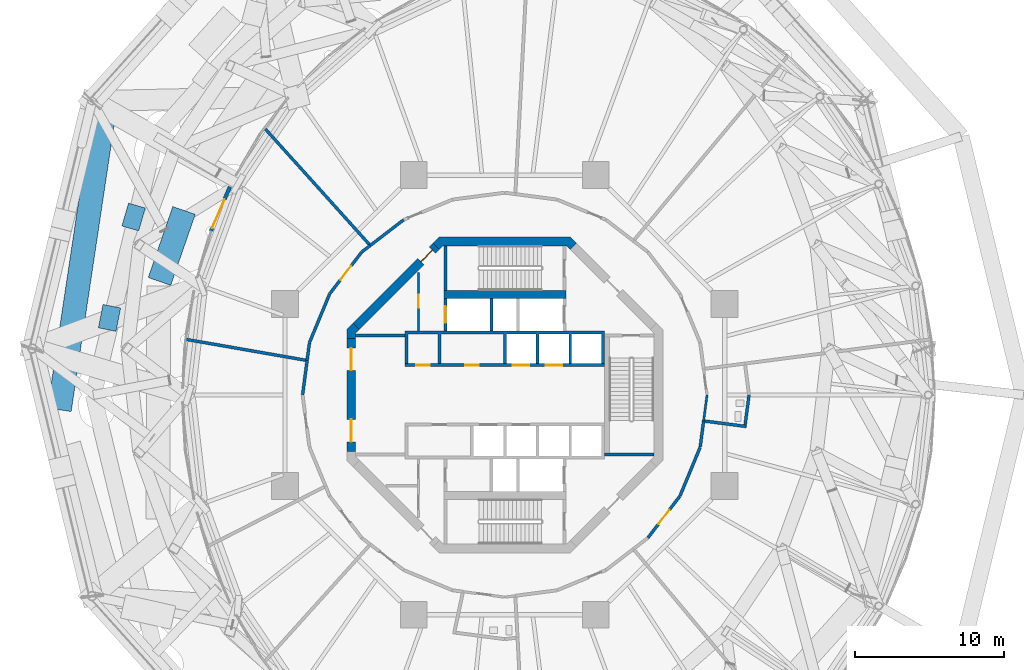
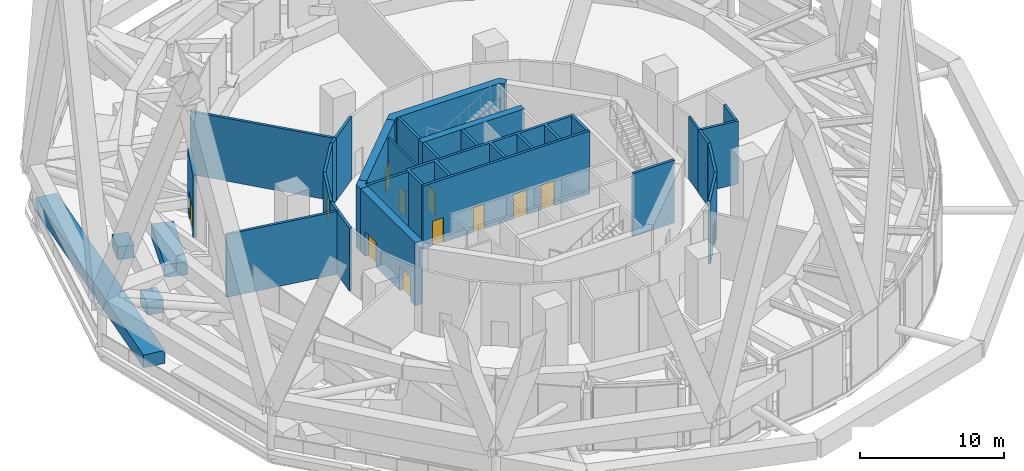
# One storey, part 50 of 60: 32 walls, 12 doors, 12 openings.
"""IFC4 building model written with IfcOpenShell, lengths in metres."""

from ifc_helpers import new_model, si_unit, direction, frame, frame_2d, origin, place, context, subcontext, project, spatial, polyline, rectangle, outline, extrude, material, layer, layer_set, type_object, element, fill, save


model = new_model("IFC4")

# Units and contexts
model_context = context("Model", 3, precision=1e-05, world=origin(), true_north=direction((0.0, 1.0)))
body_context = subcontext(model_context, "Body", "Model", "MODEL_VIEW")
ifc_project = project(units=[si_unit("LENGTHUNIT", "METRE"), si_unit("AREAUNIT", "SQUARE_METRE"), si_unit("VOLUMEUNIT", "CUBIC_METRE"), si_unit("PLANEANGLEUNIT", "RADIAN"), si_unit("MASSUNIT", "GRAM", prefix="KILO")], contexts=[model_context])

# Site, building, storey
site_placement = place(None, origin())
site = spatial("IfcSite", under=ifc_project, at=site_placement, CompositionType="ELEMENT")
building_placement = place(site_placement, origin())
building = spatial("IfcBuilding", under=site, at=building_placement, Name="Nagisa Residences", CompositionType="ELEMENT")
storey_placement = place(building_placement, frame((0.0, 0.0, 206.60009765625)))
storey = spatial("IfcBuildingStorey", under=building, at=storey_placement, Name="L52", CompositionType="ELEMENT", Elevation=206.60009765625)

# Wall, opening, door
ifc_material_1 = material(Name="Precast concrete C40/50", Category="concrete")
ifc_layer_1 = layer(ifc_material_1, 0.25)
ifc_layer_set_1 = layer_set([ifc_layer_1], Name="BALCONY DOOR WALL 250")
wall_type_1 = type_object("IfcWallType", Name="BALCONY DOOR WALL 250", PredefinedType="SOLIDWALL", material=ifc_layer_set_1)
wall_1_placement = place(storey_placement, frame((-19.774658203125, 11.020263671875, 0.0), z_axis=(0.0, 0.0, 1.0), x_axis=(0.397624344801, 0.917548298686, 0.0)))
wall_1 = element("IfcWall", 1, at=wall_1_placement, inside=storey, type_object=wall_type_1, Name="wall:L52:bay20", PredefinedType="SOLIDWALL", context=body_context, shape_type="SweptSolid", body=[
    extrude(rectangle(XDim=3.241943359375, YDim=0.25, at=frame_2d((1.62109375, 0.0))), origin(), (0.0, 0.0, 1.0), 5.33984375),
])
opening_1_placement = place(wall_1_placement, frame((0.220947265625, 0.0, 0.0)))
opening_1 = element("IfcOpeningElement", 2, at=opening_1_placement, cuts=wall_1, Name="Opening BD-L52-01", PredefinedType="OPENING", context=body_context, shape_type="SweptSolid", body=[
    extrude(rectangle(XDim=2.10009765625, YDim=2.39990234375, at=frame_2d((1.050048828125, 1.199951171875))), frame((0.0, 0.135009765625, 0.0), z_axis=(0.0, -1.0, 0.0), x_axis=(1.0, 0.0, 0.0)), (0.0, 0.0, 1.0), 0.27001953125),
])
ifc_material_2 = material(Name="Aluminium and clear glass", Category="aluminium")
door_type_1 = type_object("IfcDoorType", Name="BALCONY SLIDING DOOR 2100x2400", OperationType="SLIDING_TO_LEFT", PredefinedType="DOOR", material=ifc_material_2)
door_1_placement = place(opening_1_placement, origin())
door_1 = element("IfcDoor", 3, at=door_1_placement, inside=storey, type_object=door_type_1, Name="door:L52:bay20", OperationType="SLIDING_TO_LEFT", OverallHeight=2.39990234375, OverallWidth=2.10009765625, PredefinedType="DOOR", context=body_context, shape_type="SweptSolid", body=[
    extrude(rectangle(XDim=2.10009765625, YDim=2.39990234375, at=frame_2d((1.050048828125, 1.199951171875))), frame((0.0, 0.02490234375, 0.0), z_axis=(0.0, -1.0, 0.0), x_axis=(1.0, 0.0, 0.0)), (0.0, 0.0, 1.0), 0.050048828125),
])
fill(opening_1, door_1)

ifc_material_3 = material(Name="Gypsum board on steel studs", Category="steel")
ifc_layer_2 = layer(ifc_material_3, 0.14990234375)
ifc_layer_set_2 = layer_set([ifc_layer_2], Name="Core partition 150")
wall_type_2 = type_object("IfcWallType", Name="Core partition 150", PredefinedType="PARTITIONING", material=ifc_layer_set_2)
wall_2_placement = place(storey_placement, frame((-5.800048828125, 4.300048828125, 0.0), z_axis=(0.0, 0.0, 1.0), x_axis=(0.0, 1.0, 0.0)))
wall_2 = element("IfcWall", 4, at=wall_2_placement, inside=storey, type_object=wall_type_2, Name="wall:L52:NWp", PredefinedType="PARTITIONING", context=body_context, shape_type="SweptSolid", body=[
    extrude(rectangle(XDim=3.927001953125, YDim=0.14990234375, at=frame_2d((1.96337890625, 0.0))), origin(), (0.0, 0.0, 1.0), 5.33984375),
])
opening_2_placement = place(wall_2_placement, frame((1.551025390625, 0.0, 0.0)))
opening_2 = element("IfcOpeningElement", 5, at=opening_2_placement, cuts=wall_2, Name="Opening L52-C11", PredefinedType="OPENING", context=body_context, shape_type="SweptSolid", body=[
    extrude(rectangle(XDim=0.89990234375, YDim=2.10009765625, at=frame_2d((0.449951171875, 1.050048828125))), frame((0.0, 0.0849609375, 0.0), z_axis=(0.0, -1.0, 0.0), x_axis=(1.0, 0.0, 0.0)), (0.0, 0.0, 1.0), 0.169921875),
])
ifc_material_4 = material(Name="Steel fire door", Category="steel")
door_type_2 = type_object("IfcDoorType", Name="Fire door EI30 900x2100 single swing", OperationType="NOTDEFINED", PredefinedType="DOOR", material=ifc_material_4)
door_2_placement = place(opening_2_placement, origin())
door_2 = element("IfcDoor", 6, at=door_2_placement, inside=storey, type_object=door_type_2, Name="Hose reel room door L52", OperationType="SINGLE_SWING_RIGHT", OverallHeight=2.10009765625, OverallWidth=0.89990234375, PredefinedType="DOOR", context=body_context, shape_type="SweptSolid", body=[
    extrude(rectangle(XDim=0.89990234375, YDim=2.10009765625, at=frame_2d((0.449951171875, 1.050048828125))), frame((0.0, 0.02490234375, 0.0), z_axis=(0.0, -1.0, 0.0), x_axis=(1.0, 0.0, 0.0)), (0.0, 0.0, 1.0), 0.050048828125),
])
fill(opening_2, door_2)

# Wall
ifc_material_5 = material(Name="Gypsum board on steel studs", Category="steel")
ifc_layer_3 = layer(ifc_material_5, 0.199951171875)
ifc_layer_set_3 = layer_set([ifc_layer_3], Name="Core partition 200")
wall_type_3 = type_object("IfcWallType", Name="Core partition 200", PredefinedType="PARTITIONING", material=ifc_layer_set_3)
wall_3_placement = place(storey_placement, frame((-10.024658203125, 4.0, 0.0), z_axis=(0.0, 0.0, 1.0), x_axis=(1.0, 0.0, 0.0)))
element("IfcWall", 7, at=wall_3_placement, inside=storey, type_object=wall_type_3, Name="wall:L52:PNW", PredefinedType="PARTITIONING", context=body_context, shape_type="SweptSolid", body=[
    extrude(rectangle(XDim=3.32470703125, YDim=0.199951171875, at=frame_2d((1.662353515625, 0.0))), origin(), (0.0, 0.0, 1.0), 5.33984375),
])

# Wall, opening, door
ifc_material_6 = material(Name="Concrete C60", Category="concrete")
ifc_layer_4 = layer(ifc_material_6, 0.60009765625)
ifc_layer_set_4 = layer_set([ifc_layer_4], Name="Core shear wall 600")
wall_type_4 = type_object("IfcWallType", Name="Core shear wall 600", PredefinedType="SHEAR", material=ifc_layer_set_4)
wall_4_placement = place(storey_placement, frame((-4.613037109375, 9.98828125, 0.0), z_axis=(0.0, 0.0, 1.0), x_axis=(-0.707106781187, -0.707106781187, 0.0)))
wall_4 = element("IfcWall", 8, at=wall_4_placement, inside=storey, type_object=wall_type_4, Name="wall:L52:core:flat3", PredefinedType="SHEAR", context=body_context, shape_type="SweptSolid", body=[
    extrude(rectangle(XDim=7.601806640625, YDim=0.60009765625, at=frame_2d((3.80078125, 0.0))), origin(), (0.0, 0.0, 1.0), 5.33984375),
])
opening_3_placement = place(wall_4_placement, frame((0.350830078125, 0.0, 0.0)))
opening_3 = element("IfcOpeningElement", 9, at=opening_3_placement, cuts=wall_4, Name="Opening L52-C22", PredefinedType="OPENING", context=body_context, shape_type="SweptSolid", body=[
    extrude(rectangle(XDim=1.10009765625, YDim=2.10009765625, at=frame_2d((0.550048828125, 1.050048828125))), frame((0.0, 0.31005859375, 0.0), z_axis=(0.0, -1.0, 0.0), x_axis=(1.0, 0.0, 0.0)), (0.0, 0.0, 1.0), 0.6201171875),
])
ifc_material_7 = material(Name="Steel fire door", Category="steel")
door_type_3 = type_object("IfcDoorType", Name="Fire door EI60 1100x2100 single swing", OperationType="NOTDEFINED", PredefinedType="DOOR", material=ifc_material_7)
door_3_placement = place(opening_3_placement, origin())
door_3 = element("IfcDoor", 10, at=door_3_placement, inside=storey, type_object=door_type_3, Name="Service lobby door L52", OperationType="SINGLE_SWING_LEFT", OverallHeight=2.10009765625, OverallWidth=1.10009765625, PredefinedType="DOOR", context=body_context, shape_type="SweptSolid", body=[
    extrude(rectangle(XDim=1.10009765625, YDim=2.10009765625, at=frame_2d((0.550048828125, 1.050048828125))), frame((0.0, 0.02490234375, 0.0), z_axis=(0.0, -1.0, 0.0), x_axis=(1.0, 0.0, 0.0)), (0.0, 0.0, 1.0), 0.050048828125),
])
fill(opening_3, door_3)

# Wall, openings, doors
wall_5_placement = place(storey_placement, frame((-10.32470703125, 3.80078125, 0.0), z_axis=(0.0, 0.0, 1.0), x_axis=(0.0, -1.0, 0.0)))
wall_5 = element("IfcWall", 11, at=wall_5_placement, inside=storey, type_object=wall_type_4, Name="wall:L52:core:flat4", PredefinedType="SHEAR", context=body_context, shape_type="SweptSolid", body=[
    extrude(rectangle(XDim=7.6015625, YDim=0.60009765625, at=frame_2d((3.80078125, 0.0))), origin(), (0.0, 0.0, 1.0), 5.33984375),
])
opening_4_placement = place(wall_5_placement, frame((0.65087890625, 0.0, 0.0)))
opening_4 = element("IfcOpeningElement", 12, at=opening_4_placement, cuts=wall_5, Name="Opening L52-C20", PredefinedType="OPENING", context=body_context, shape_type="SweptSolid", body=[
    extrude(rectangle(XDim=1.5, YDim=2.10009765625, at=frame_2d((0.75, 1.050048828125))), frame((0.0, 0.31005859375, 0.0), z_axis=(0.0, -1.0, 0.0), x_axis=(1.0, 0.0, 0.0)), (0.0, 0.0, 1.0), 0.6201171875),
])
opening_5_placement = place(wall_5_placement, frame((5.450927734375, 0.0, 0.0)))
opening_5 = element("IfcOpeningElement", 13, at=opening_5_placement, cuts=wall_5, Name="Opening L52-C21", PredefinedType="OPENING", context=body_context, shape_type="SweptSolid", body=[
    extrude(rectangle(XDim=1.5, YDim=2.10009765625, at=frame_2d((0.75, 1.050048828125))), frame((0.0, 0.31005859375, 0.0), z_axis=(0.0, -1.0, 0.0), x_axis=(1.0, 0.0, 0.0)), (0.0, 0.0, 1.0), 0.6201171875),
])
ifc_material_8 = material(Name="Steel fire door", Category="steel")
door_type_4 = type_object("IfcDoorType", Name="Fire door EI60 1500x2100 double door single swing", OperationType="DOUBLE_DOOR_SINGLE_SWING", PredefinedType="DOOR", material=ifc_material_8)
door_4_placement = place(opening_4_placement, origin())
door_4 = element("IfcDoor", 14, at=door_4_placement, inside=storey, type_object=door_type_4, Name="Lift lobby door L52 1", OperationType="DOUBLE_DOOR_SINGLE_SWING", OverallHeight=2.10009765625, OverallWidth=1.5, PredefinedType="DOOR", context=body_context, shape_type="SweptSolid", body=[
    extrude(rectangle(XDim=1.5, YDim=2.10009765625, at=frame_2d((0.75, 1.050048828125))), frame((0.0, 0.02490234375, 0.0), z_axis=(0.0, -1.0, 0.0), x_axis=(1.0, 0.0, 0.0)), (0.0, 0.0, 1.0), 0.050048828125),
])
fill(opening_4, door_4)
door_5_placement = place(opening_5_placement, origin())
door_5 = element("IfcDoor", 15, at=door_5_placement, inside=storey, type_object=door_type_4, Name="Lift lobby door L52 2", OperationType="DOUBLE_DOOR_SINGLE_SWING", OverallHeight=2.10009765625, OverallWidth=1.5, PredefinedType="DOOR", context=body_context, shape_type="SweptSolid", body=[
    extrude(rectangle(XDim=1.5, YDim=2.10009765625, at=frame_2d((0.75, 1.050048828125))), frame((0.0, 0.02490234375, 0.0), z_axis=(0.0, -1.0, 0.0), x_axis=(1.0, 0.0, 0.0)), (0.0, 0.0, 1.0), 0.050048828125),
])
fill(opening_5, door_5)

# Walls
wall_6_placement = place(storey_placement, origin())
element("IfcWall", 16, at=wall_6_placement, inside=storey, type_object=wall_type_4, Name="wall:L52:core:pier3", PredefinedType="SHEAR", context=body_context, shape_type="SweptSolid", body=[
    extrude(outline(polyline([(-10.200439453125, 4.8251953125), (-9.776123046875, 4.40087890625), (-10.024658203125, 4.15234375), (-10.024658203125, 3.80078125), (-10.62451171875, 3.80078125), (-10.62451171875, 4.40087890625), (-10.200439453125, 4.8251953125)])), origin(), (0.0, 0.0, 1.0), 5.33984375),
])
wall_7_placement = place(storey_placement, origin())
element("IfcWall", 17, at=wall_7_placement, inside=storey, type_object=wall_type_4, Name="wall:L52:core:flat2", PredefinedType="SHEAR", context=body_context, shape_type="SweptSolid", body=[
    extrude(outline(polyline([(-4.15234375, 10.024658203125), (-4.40087890625, 9.776123046875), (-4.8251953125, 10.200439453125), (-4.40087890625, 10.62451171875), (4.40087890625, 10.62451171875), (4.8251953125, 10.200439453125), (4.40087890625, 9.776123046875), (4.15234375, 10.024658203125), (-4.15234375, 10.024658203125)])), origin(), (0.0, 0.0, 1.0), 5.33984375),
])

# Wall, opening, door
ifc_material_9 = material(Name="Concrete C60", Category="concrete")
ifc_layer_5 = layer(ifc_material_9, 0.199951171875)
ifc_layer_set_5 = layer_set([ifc_layer_5], Name="Lift shaft wall 200")
wall_type_5 = type_object("IfcWallType", Name="Lift shaft wall 200", PredefinedType="SOLIDWALL", material=ifc_layer_set_5)
wall_8_placement = place(storey_placement, frame((-4.0, 4.300048828125, 0.0), z_axis=(0.0, 0.0, 1.0), x_axis=(0.0, 1.0, 0.0)))
wall_8 = element("IfcWall", 18, at=wall_8_placement, inside=storey, type_object=wall_type_5, Name="wall:L52:Nb4", PredefinedType="SOLIDWALL", context=body_context, shape_type="SweptSolid", body=[
    extrude(rectangle(XDim=2.199951171875, YDim=0.199951171875, at=frame_2d((1.10009765625, 0.0))), origin(), (0.0, 0.0, 1.0), 5.33984375),
])
opening_6_placement = place(wall_8_placement, frame((0.550048828125, 0.0, 0.0)))
opening_6 = element("IfcOpeningElement", 19, at=opening_6_placement, cuts=wall_8, Name="Opening L52-C07", PredefinedType="OPENING", context=body_context, shape_type="SweptSolid", body=[
    extrude(rectangle(XDim=1.10009765625, YDim=2.10009765625, at=frame_2d((0.550048828125, 1.050048828125))), frame((0.0, 0.10986328125, 0.0), z_axis=(0.0, -1.0, 0.0), x_axis=(1.0, 0.0, 0.0)), (0.0, 0.0, 1.0), 0.219970703125),
])
ifc_material_10 = material(Name="Stainless steel", Category="steel")
door_type_5 = type_object("IfcDoorType", Name="Lift landing door 1100x2100", OperationType="DOUBLE_DOOR_SLIDING", PredefinedType="DOOR", material=ifc_material_10)
door_6_placement = place(opening_6_placement, origin())
door_6 = element("IfcDoor", 20, at=door_6_placement, inside=storey, type_object=door_type_5, Name="Landing door SV L52", OperationType="DOUBLE_DOOR_SLIDING", OverallHeight=2.10009765625, OverallWidth=1.10009765625, PredefinedType="DOOR", context=body_context, shape_type="SweptSolid", body=[
    extrude(rectangle(XDim=1.10009765625, YDim=2.10009765625, at=frame_2d((0.550048828125, 1.050048828125))), frame((0.0, 0.02490234375, 0.0), z_axis=(0.0, -1.0, 0.0), x_axis=(1.0, 0.0, 0.0)), (0.0, 0.0, 1.0), 0.050048828125),
])
fill(opening_6, door_6)

# Wall, openings, doors
wall_9_placement = place(storey_placement, frame((-6.699951171875, 2.0, 0.0), z_axis=(0.0, 0.0, 1.0), x_axis=(1.0, 0.0, 0.0)))
wall_9 = element("IfcWall", 21, at=wall_9_placement, inside=storey, type_object=wall_type_5, Name="wall:L52:Nfront", PredefinedType="SOLIDWALL", context=body_context, shape_type="SweptSolid", body=[
    extrude(rectangle(XDim=13.39990234375, YDim=0.199951171875, at=frame_2d((6.699951171875, 0.0))), origin(), (0.0, 0.0, 1.0), 5.33984375),
])
opening_7_placement = place(wall_9_placement, frame((7.25, 0.0, 0.0)))
opening_7 = element("IfcOpeningElement", 22, at=opening_7_placement, cuts=wall_9, Name="Opening L52-C01", PredefinedType="OPENING", context=body_context, shape_type="SweptSolid", body=[
    extrude(rectangle(XDim=1.10009765625, YDim=2.10009765625, at=frame_2d((0.550048828125, 1.050048828125))), frame((0.0, 0.10986328125, 0.0), z_axis=(0.0, -1.0, 0.0), x_axis=(1.0, 0.0, 0.0)), (0.0, 0.0, 1.0), 0.219970703125),
])
opening_8_placement = place(wall_9_placement, frame((9.449951171875, 0.0, 0.0)))
opening_8 = element("IfcOpeningElement", 23, at=opening_8_placement, cuts=wall_9, Name="Opening L52-C02", PredefinedType="OPENING", context=body_context, shape_type="SweptSolid", body=[
    extrude(rectangle(XDim=1.10009765625, YDim=2.10009765625, at=frame_2d((0.550048828125, 1.050048828125))), frame((0.0, 0.10986328125, 0.0), z_axis=(0.0, -1.0, 0.0), x_axis=(1.0, 0.0, 0.0)), (0.0, 0.0, 1.0), 0.219970703125),
])
opening_9_placement = place(wall_9_placement, frame((0.75, 0.0, 0.0)))
opening_9 = element("IfcOpeningElement", 24, at=opening_9_placement, cuts=wall_9, Name="Opening L52-C15", PredefinedType="OPENING", context=body_context, shape_type="SweptSolid", body=[
    extrude(rectangle(XDim=0.89990234375, YDim=2.10009765625, at=frame_2d((0.449951171875, 1.050048828125))), frame((0.0, 0.10986328125, 0.0), z_axis=(0.0, -1.0, 0.0), x_axis=(1.0, 0.0, 0.0)), (0.0, 0.0, 1.0), 0.219970703125),
])
opening_10_placement = place(wall_9_placement, frame((4.050048828125, 0.0, 0.0)))
opening_10 = element("IfcOpeningElement", 25, at=opening_10_placement, cuts=wall_9, Name="Opening L52-C16", PredefinedType="OPENING", context=body_context, shape_type="SweptSolid", body=[
    extrude(rectangle(XDim=0.89990234375, YDim=2.10009765625, at=frame_2d((0.449951171875, 1.050048828125))), frame((0.0, 0.10986328125, 0.0), z_axis=(0.0, -1.0, 0.0), x_axis=(1.0, 0.0, 0.0)), (0.0, 0.0, 1.0), 0.219970703125),
])
door_7_placement = place(opening_9_placement, origin())
door_7 = element("IfcDoor", 26, at=door_7_placement, inside=storey, type_object=door_type_2, Name="Wine store door L52", OperationType="SINGLE_SWING_LEFT", OverallHeight=2.10009765625, OverallWidth=0.89990234375, PredefinedType="DOOR", context=body_context, shape_type="SweptSolid", body=[
    extrude(rectangle(XDim=0.89990234375, YDim=2.10009765625, at=frame_2d((0.449951171875, 1.050048828125))), frame((0.0, 0.02490234375, 0.0), z_axis=(0.0, -1.0, 0.0), x_axis=(1.0, 0.0, 0.0)), (0.0, 0.0, 1.0), 0.050048828125),
])
fill(opening_9, door_7)
door_8_placement = place(opening_10_placement, origin())
door_8 = element("IfcDoor", 27, at=door_8_placement, inside=storey, type_object=door_type_2, Name="Package room door L52", OperationType="SINGLE_SWING_LEFT", OverallHeight=2.10009765625, OverallWidth=0.89990234375, PredefinedType="DOOR", context=body_context, shape_type="SweptSolid", body=[
    extrude(rectangle(XDim=0.89990234375, YDim=2.10009765625, at=frame_2d((0.449951171875, 1.050048828125))), frame((0.0, 0.02490234375, 0.0), z_axis=(0.0, -1.0, 0.0), x_axis=(1.0, 0.0, 0.0)), (0.0, 0.0, 1.0), 0.050048828125),
])
fill(opening_10, door_8)
door_9_placement = place(opening_7_placement, origin())
door_9 = element("IfcDoor", 28, at=door_9_placement, inside=storey, type_object=door_type_5, Name="Landing door B1 L52", OperationType="DOUBLE_DOOR_SLIDING", OverallHeight=2.10009765625, OverallWidth=1.10009765625, PredefinedType="DOOR", context=body_context, shape_type="SweptSolid", body=[
    extrude(rectangle(XDim=1.10009765625, YDim=2.10009765625, at=frame_2d((0.550048828125, 1.050048828125))), frame((0.0, 0.02490234375, 0.0), z_axis=(0.0, -1.0, 0.0), x_axis=(1.0, 0.0, 0.0)), (0.0, 0.0, 1.0), 0.050048828125),
])
fill(opening_7, door_9)
door_10_placement = place(opening_8_placement, origin())
door_10 = element("IfcDoor", 29, at=door_10_placement, inside=storey, type_object=door_type_5, Name="Landing door B2 L52", OperationType="DOUBLE_DOOR_SLIDING", OverallHeight=2.10009765625, OverallWidth=1.10009765625, PredefinedType="DOOR", context=body_context, shape_type="SweptSolid", body=[
    extrude(rectangle(XDim=1.10009765625, YDim=2.10009765625, at=frame_2d((0.550048828125, 1.050048828125))), frame((0.0, 0.02490234375, 0.0), z_axis=(0.0, -1.0, 0.0), x_axis=(1.0, 0.0, 0.0)), (0.0, 0.0, 1.0), 0.050048828125),
])
fill(opening_8, door_10)

# Walls
wall_10_placement = place(storey_placement, frame((-0.89990234375, 4.300048828125, 0.0), z_axis=(0.0, 0.0, 1.0), x_axis=(0.0, 1.0, 0.0)))
element("IfcWall", 30, at=wall_10_placement, inside=storey, type_object=wall_type_5, Name="wall:L52:Nb1", PredefinedType="SOLIDWALL", context=body_context, shape_type="SweptSolid", body=[
    extrude(rectangle(XDim=2.199951171875, YDim=0.199951171875, at=frame_2d((1.10009765625, 0.0))), origin(), (0.0, 0.0, 1.0), 5.33984375),
])
wall_11_placement = place(storey_placement, origin())
element("IfcWall", 31, at=wall_11_placement, inside=storey, type_object=wall_type_5, Name="wall:L52:Nback", PredefinedType="SOLIDWALL", context=body_context, shape_type="SweptSolid", body=[
    extrude(outline(polyline([(-6.699951171875, 4.300048828125), (6.699951171875, 4.300048828125), (6.699951171875, 2.10009765625), (6.5, 2.10009765625), (6.5, 4.10009765625), (4.5, 4.10009765625), (4.5, 2.10009765625), (4.300048828125, 2.10009765625), (4.300048828125, 4.10009765625), (2.300048828125, 4.10009765625), (2.300048828125, 2.10009765625), (2.10009765625, 2.10009765625), (2.10009765625, 4.10009765625), (0.10009765625, 4.10009765625), (0.10009765625, 2.10009765625), (-0.10009765625, 2.10009765625), (-0.10009765625, 4.10009765625), (-4.300048828125, 4.10009765625), (-4.300048828125, 2.10009765625), (-4.5, 2.10009765625), (-4.5, 4.10009765625), (-6.5, 4.10009765625), (-6.5, 2.10009765625), (-6.699951171875, 2.10009765625), (-6.699951171875, 4.300048828125)])), origin(), (0.0, 0.0, 1.0), 5.33984375),
])
ifc_material_11 = material(Name="Precast concrete C30/37", Category="concrete")
ifc_layer_6 = layer(ifc_material_11, 1.60009765625)
ifc_layer_set_6 = layer_set([ifc_layer_6], Name="PLANTER")
wall_type_6 = type_object("IfcWallType", Name="PLANTER", PredefinedType="SOLIDWALL", material=ifc_layer_set_6)
wall_12_placement = place(storey_placement, frame((-29.954345703125, -0.997802734375, 0.0), z_axis=(0.0, 0.0, 1.0), x_axis=(0.148243231474, 0.9889509312, 0.0)))
element("IfcWall", 32, at=wall_12_placement, inside=storey, type_object=wall_type_6, Name="planter:L52:deck001", PredefinedType="SOLIDWALL", context=body_context, shape_type="SweptSolid", body=[
    extrude(rectangle(XDim=20.507080078125, YDim=1.60009765625, at=frame_2d((10.25341796875, 0.0))), origin(), (0.0, 0.0, 1.0), 1.099853515625),
])
wall_13_placement = place(storey_placement, frame((-21.5732421875, 12.40625, 0.0), z_axis=(0.0, 0.0, 1.0), x_axis=(-0.326881429712, -0.94506535801, 0.0)))
element("IfcWall", 33, at=wall_13_placement, inside=storey, type_object=wall_type_6, Name="planter:L52:deck005", PredefinedType="SOLIDWALL", context=body_context, shape_type="SweptSolid", body=[
    extrude(rectangle(XDim=5.05029296875, YDim=1.60009765625, at=frame_2d((2.525146484375, 0.0))), origin(), (0.0, 0.0, 1.0), 1.099853515625),
])
wall_14_placement = place(storey_placement, frame((-25.992919921875, 5.062744140625, 0.0), z_axis=(0.0, 0.0, 1.0), x_axis=(-0.980882620222, 0.194600322059, 0.0)))
element("IfcWall", 34, at=wall_14_placement, inside=storey, type_object=wall_type_6, Name="planter:L52:deck117", PredefinedType="SOLIDWALL", context=body_context, shape_type="SweptSolid", body=[
    extrude(rectangle(XDim=1.208251953125, YDim=1.60009765625, at=frame_2d((0.60400390625, 0.0))), origin(), (0.0, 0.0, 1.0), 1.099853515625),
])
wall_15_placement = place(storey_placement, frame((-25.52685546875, 12.12890625, 0.0), z_axis=(0.0, 0.0, 1.0), x_axis=(0.960640226242, -0.277795528628, 0.0)))
element("IfcWall", 35, at=wall_15_placement, inside=storey, type_object=wall_type_6, Name="planter:L52:deck118", PredefinedType="SOLIDWALL", context=body_context, shape_type="SweptSolid", body=[
    extrude(rectangle(XDim=1.174072265625, YDim=1.60009765625, at=frame_2d((0.5869140625, 0.0))), origin(), (0.0, 0.0, 1.0), 1.099853515625),
])
ifc_material_12 = material(Name="Gypsum board on steel studs", Category="steel")
ifc_layer_7 = layer(ifc_material_12, 0.199951171875)
ifc_layer_set_7 = layer_set([ifc_layer_7], Name="Plant room wall EI120 200")
wall_type_7 = type_object("IfcWallType", Name="Plant room wall EI120 200", PredefinedType="PARTITIONING", material=ifc_layer_set_7)
wall_16_placement = place(storey_placement, frame((-13.597900390625, 0.01513671875, 0.0), z_axis=(0.0, 0.0, 1.0), x_axis=(0.130476270168, 0.991451432458, 0.0)))
element("IfcWall", 36, at=wall_16_placement, inside=storey, type_object=wall_type_7, Name="wall:L52:am004", PredefinedType="PARTITIONING", context=body_context, shape_type="SweptSolid", body=[
    extrude(rectangle(XDim=2.322021484375, YDim=0.199951171875, at=frame_2d((1.1611328125, 0.0))), origin(), (0.0, 0.0, 1.0), 5.33984375),
])
wall_17_placement = place(storey_placement, frame((-13.3935546875, 2.33447265625, 0.0), z_axis=(0.0, 0.0, 1.0), x_axis=(-0.985144930299, 0.171724972867, 0.0)))
element("IfcWall", 37, at=wall_17_placement, inside=storey, type_object=wall_type_7, Name="wall:L52:am005", PredefinedType="PARTITIONING", context=body_context, shape_type="SweptSolid", body=[
    extrude(rectangle(XDim=8.1875, YDim=0.199951171875, at=frame_2d((4.09375, 0.0))), origin(), (0.0, 0.0, 1.0), 5.33984375),
])
wall_18_placement = place(storey_placement, frame((-13.294921875, 2.3173828125, 0.0), z_axis=(0.0, 0.0, 1.0), x_axis=(0.130454512571, 0.991454295543, 0.0)))
element("IfcWall", 38, at=wall_18_placement, inside=storey, type_object=wall_type_7, Name="wall:L52:am006", PredefinedType="PARTITIONING", context=body_context, shape_type="SweptSolid", body=[
    extrude(rectangle(XDim=1.19775390625, YDim=0.199951171875, at=frame_2d((0.598876953125, 0.0))), origin(), (0.0, 0.0, 1.0), 5.33984375),
])
wall_19_placement = place(storey_placement, frame((-13.130859375, 3.533935546875, 0.0), z_axis=(0.0, 0.0, 1.0), x_axis=(0.382723413813, 0.92386297064, 0.0)))
element("IfcWall", 39, at=wall_19_placement, inside=storey, type_object=wall_type_7, Name="wall:L52:am008", PredefinedType="PARTITIONING", context=body_context, shape_type="SweptSolid", body=[
    extrude(rectangle(XDim=3.52001953125, YDim=0.199951171875, at=frame_2d((1.760009765625, 0.0))), origin(), (0.0, 0.0, 1.0), 5.33984375),
])

# Wall, opening, door
wall_20_placement = place(storey_placement, frame((-11.7685546875, 6.81201171875, 0.0), z_axis=(0.0, 0.0, 1.0), x_axis=(0.608697977542, 0.793402024283, 0.0)))
wall_20 = element("IfcWall", 40, at=wall_20_placement, inside=storey, type_object=wall_type_7, Name="wall:L52:am012", PredefinedType="PARTITIONING", context=body_context, shape_type="SweptSolid", body=[
    extrude(rectangle(XDim=3.52001953125, YDim=0.199951171875, at=frame_2d((1.760009765625, 0.0))), origin(), (0.0, 0.0, 1.0), 5.33984375),
])
opening_11_placement = place(wall_20_placement, frame((1.159912109375, 0.0, 0.0)))
opening_11 = element("IfcOpeningElement", 41, at=opening_11_placement, cuts=wall_20, Name="Opening L52-A04", PredefinedType="OPENING", context=body_context, shape_type="SweptSolid", body=[
    extrude(rectangle(XDim=1.199951171875, YDim=2.10009765625, at=frame_2d((0.60009765625, 1.050048828125))), frame((0.0, 0.10986328125, 0.0), z_axis=(0.0, -1.0, 0.0), x_axis=(1.0, 0.0, 0.0)), (0.0, 0.0, 1.0), 0.219970703125),
])
ifc_material_13 = material(Name="Steel fire door", Category="steel")
door_type_6 = type_object("IfcDoorType", Name="Fire door EI120 1200x2100 single swing", OperationType="NOTDEFINED", PredefinedType="DOOR", material=ifc_material_13)
door_11_placement = place(opening_11_placement, frame((1.199951171875, 0.0, 0.0), x_axis=(-1.0, 0.0, 0.0)))
door_11 = element("IfcDoor", 42, at=door_11_placement, inside=storey, type_object=door_type_6, Name="Refuge room 3 door", OperationType="SINGLE_SWING_LEFT", OverallHeight=2.10009765625, OverallWidth=1.199951171875, PredefinedType="DOOR", context=body_context, shape_type="SweptSolid", body=[
    extrude(rectangle(XDim=1.199951171875, YDim=2.10009765625, at=frame_2d((0.60009765625, 1.050048828125))), frame((0.0, 0.02490234375, 0.0), z_axis=(0.0, -1.0, 0.0), x_axis=(1.0, 0.0, 0.0)), (0.0, 0.0, 1.0), 0.050048828125),
])
fill(opening_11, door_11)

# Walls
wall_21_placement = place(storey_placement, frame((-9.604736328125, 9.6259765625, 0.0), z_axis=(0.0, 0.0, 1.0), x_axis=(0.793454504248, 0.608629566887, 0.0)))
element("IfcWall", 43, at=wall_21_placement, inside=storey, type_object=wall_type_7, Name="wall:L52:am014", PredefinedType="PARTITIONING", context=body_context, shape_type="SweptSolid", body=[
    extrude(rectangle(XDim=0.69873046875, YDim=0.199951171875, at=frame_2d((0.349365234375, 0.0))), origin(), (0.0, 0.0, 1.0), 5.33984375),
])
wall_22_placement = place(storey_placement, frame((-9.117431640625, 10.125732421875, 0.0), z_axis=(0.0, 0.0, 1.0), x_axis=(-0.66912025522, 0.743154145554, 0.0)))
element("IfcWall", 44, at=wall_22_placement, inside=storey, type_object=wall_type_7, Name="wall:L52:am017", PredefinedType="PARTITIONING", context=body_context, shape_type="SweptSolid", body=[
    extrude(rectangle(XDim=10.4931640625, YDim=0.199951171875, at=frame_2d((5.24658203125, 0.0))), origin(), (0.0, 0.0, 1.0), 5.33984375),
])
wall_23_placement = place(storey_placement, frame((-9.05029296875, 10.05126953125, 0.0), z_axis=(0.0, 0.0, 1.0), x_axis=(0.793389024662, 0.608714921409, 0.0)))
element("IfcWall", 45, at=wall_23_placement, inside=storey, type_object=wall_type_7, Name="wall:L52:am018", PredefinedType="PARTITIONING", context=body_context, shape_type="SweptSolid", body=[
    extrude(rectangle(XDim=2.821044921875, YDim=0.199951171875, at=frame_2d((1.41064453125, 0.0))), origin(), (0.0, 0.0, 1.0), 5.33984375),
])

# Wall, opening, door
wall_24_placement = place(storey_placement, frame((11.7685546875, -6.81201171875, 0.0), z_axis=(0.0, 0.0, 1.0), x_axis=(-0.608697977542, -0.793402024283, 0.0)))
wall_24 = element("IfcWall", 46, at=wall_24_placement, inside=storey, type_object=wall_type_7, Name="wall:L52:am042", PredefinedType="PARTITIONING", context=body_context, shape_type="SweptSolid", body=[
    extrude(rectangle(XDim=3.52001953125, YDim=0.199951171875, at=frame_2d((1.760009765625, 0.0))), origin(), (0.0, 0.0, 1.0), 5.33984375),
])
opening_12_placement = place(wall_24_placement, frame((1.159912109375, 0.0, 0.0)))
opening_12 = element("IfcOpeningElement", 47, at=opening_12_placement, cuts=wall_24, Name="Opening L52-A11", PredefinedType="OPENING", context=body_context, shape_type="SweptSolid", body=[
    extrude(rectangle(XDim=1.199951171875, YDim=2.10009765625, at=frame_2d((0.60009765625, 1.050048828125))), frame((0.0, 0.10986328125, 0.0), z_axis=(0.0, -1.0, 0.0), x_axis=(1.0, 0.0, 0.0)), (0.0, 0.0, 1.0), 0.219970703125),
])
door_12_placement = place(opening_12_placement, frame((1.199951171875, 0.0, 0.0), x_axis=(-1.0, 0.0, 0.0)))
door_12 = element("IfcDoor", 48, at=door_12_placement, inside=storey, type_object=door_type_6, Name="Refuge room 1 door", OperationType="SINGLE_SWING_RIGHT", OverallHeight=2.10009765625, OverallWidth=1.199951171875, PredefinedType="DOOR", context=body_context, shape_type="SweptSolid", body=[
    extrude(rectangle(XDim=1.199951171875, YDim=2.10009765625, at=frame_2d((0.60009765625, 1.050048828125))), frame((0.0, 0.02490234375, 0.0), z_axis=(0.0, -1.0, 0.0), x_axis=(1.0, 0.0, 0.0)), (0.0, 0.0, 1.0), 0.050048828125),
])
fill(opening_12, door_12)

# Walls
wall_25_placement = place(storey_placement, frame((13.130859375, -3.533935546875, 0.0), z_axis=(0.0, 0.0, 1.0), x_axis=(-0.382723413813, -0.92386297064, 0.0)))
element("IfcWall", 49, at=wall_25_placement, inside=storey, type_object=wall_type_7, Name="wall:L52:am044", PredefinedType="PARTITIONING", context=body_context, shape_type="SweptSolid", body=[
    extrude(rectangle(XDim=3.52001953125, YDim=0.199951171875, at=frame_2d((1.760009765625, 0.0))), origin(), (0.0, 0.0, 1.0), 5.33984375),
])
wall_26_placement = place(storey_placement, frame((13.3701171875, -1.74658203125, 0.0), z_axis=(0.0, 0.0, 1.0), x_axis=(-0.130504367157, -0.991447734454, 0.0)))
element("IfcWall", 50, at=wall_26_placement, inside=storey, type_object=wall_type_7, Name="wall:L52:am046", PredefinedType="PARTITIONING", context=body_context, shape_type="SweptSolid", body=[
    extrude(rectangle(XDim=1.7734375, YDim=0.199951171875, at=frame_2d((0.88671875, 0.0))), origin(), (0.0, 0.0, 1.0), 5.33984375),
])
wall_27_placement = place(storey_placement, frame((16.24560546875, -2.122314453125, 0.0), z_axis=(0.0, 0.0, 1.0), x_axis=(-0.99158143805, 0.129484561687, 0.0)))
element("IfcWall", 51, at=wall_27_placement, inside=storey, type_object=wall_type_7, Name="wall:L52:am048", PredefinedType="PARTITIONING", context=body_context, shape_type="SweptSolid", body=[
    extrude(rectangle(XDim=2.800048828125, YDim=0.199951171875, at=frame_2d((1.39990234375, 0.0))), origin(), (0.0, 0.0, 1.0), 5.33984375),
])
wall_28_placement = place(storey_placement, frame((16.422119140625, -0.01513671875, 0.0), z_axis=(0.0, 0.0, 1.0), x_axis=(-0.130423128531, -0.991458424516, 0.0)))
element("IfcWall", 52, at=wall_28_placement, inside=storey, type_object=wall_type_7, Name="wall:L52:am050", PredefinedType="PARTITIONING", context=body_context, shape_type="SweptSolid", body=[
    extrude(rectangle(XDim=2.01220703125, YDim=0.199951171875, at=frame_2d((1.006103515625, 0.0))), origin(), (0.0, 0.0, 1.0), 5.33984375),
])
ifc_material_14 = material(Name="Gypsum board on steel studs", Category="steel")
ifc_layer_8 = layer(ifc_material_14, 0.14990234375)
ifc_layer_set_8 = layer_set([ifc_layer_8], Name="Room partition EI60 150")
wall_type_8 = type_object("IfcWallType", Name="Room partition EI60 150", PredefinedType="PARTITIONING", material=ifc_layer_set_8)
wall_29_placement = place(storey_placement, frame((13.598388671875, -0.01171875, 0.0), z_axis=(0.0, 0.0, 1.0), x_axis=(-0.130454512571, -0.991454295543, 0.0)))
element("IfcWall", 53, at=wall_29_placement, inside=storey, type_object=wall_type_8, Name="wall:L52:am003", PredefinedType="PARTITIONING", context=body_context, shape_type="SweptSolid", body=[
    extrude(rectangle(XDim=1.749755859375, YDim=0.14990234375, at=frame_2d((0.875, 0.0))), origin(), (0.0, 0.0, 1.0), 5.33984375),
])
ifc_material_15 = material(Name="Concrete C60", Category="concrete")
ifc_layer_9 = layer(ifc_material_15, 0.199951171875)
ifc_layer_set_9 = layer_set([ifc_layer_9], Name="Stair enclosure wall 200")
wall_type_9 = type_object("IfcWallType", Name="Stair enclosure wall 200", PredefinedType="SOLIDWALL", material=ifc_layer_set_9)
wall_30_placement = place(storey_placement, origin())
element("IfcWall", 54, at=wall_30_placement, inside=storey, type_object=wall_type_9, Name="wall:L52:SN_w", PredefinedType="SOLIDWALL", context=body_context, shape_type="SweptSolid", body=[
    extrude(outline(polyline([(-3.89990234375, 7.024658203125), (-4.10009765625, 7.024658203125), (-4.10009765625, 10.024658203125), (-3.89990234375, 10.024658203125), (-3.89990234375, 7.024658203125)])), origin(), (0.0, 0.0, 1.0), 5.33984375),
])
wall_31_placement = place(storey_placement, origin())
element("IfcWall", 55, at=wall_31_placement, inside=storey, type_object=wall_type_9, Name="wall:L52:SN_s", PredefinedType="SOLIDWALL", context=body_context, shape_type="SweptSolid", body=[
    extrude(outline(polyline([(4.10009765625, 6.5), (-4.10009765625, 6.5), (-4.10009765625, 7.024658203125), (4.10009765625, 7.024658203125), (4.10009765625, 6.5)])), origin(), (0.0, 0.0, 1.0), 5.33984375),
])
wall_32_placement = place(storey_placement, origin())
element("IfcWall", 56, at=wall_32_placement, inside=storey, type_object=wall_type_9, Name="wall:L52:SE_s", PredefinedType="SOLIDWALL", context=body_context, shape_type="SweptSolid", body=[
    extrude(outline(polyline([(10.024658203125, -4.10009765625), (6.699951171875, -4.10009765625), (6.699951171875, -3.89990234375), (10.024658203125, -3.89990234375), (10.024658203125, -4.10009765625)])), origin(), (0.0, 0.0, 1.0), 5.33984375),
])

save(model, "model.ifc")
